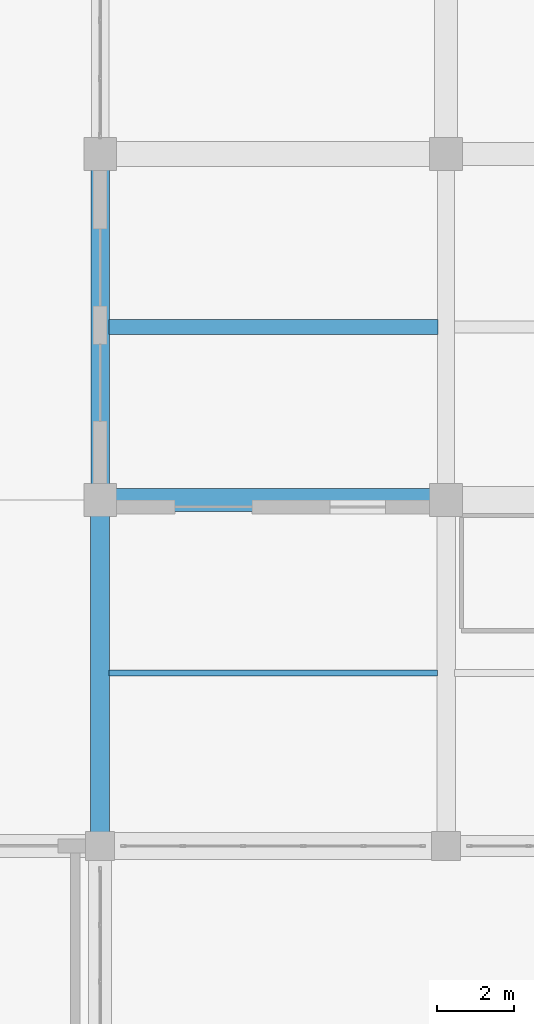
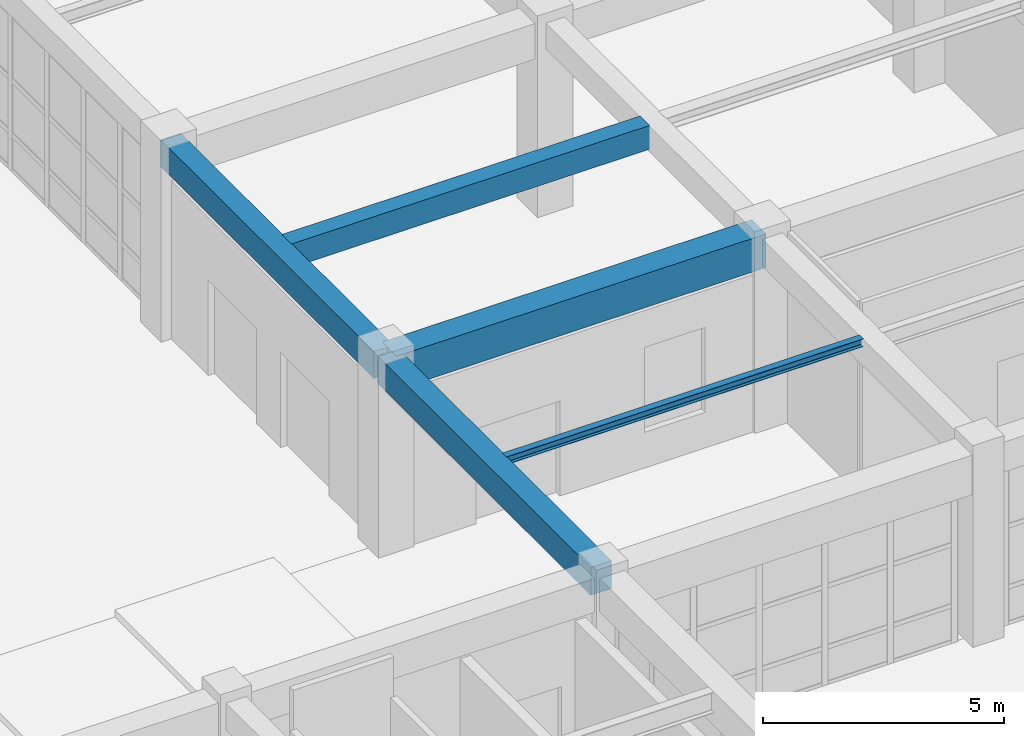
# One storey, part 38 of 128: 5 beams.
"""IFC4 building model written with IfcOpenShell, lengths in metres."""

from ifc_helpers import new_model, si_unit, direction, frame, origin, origin_2d, place, context, subcontext, project, spatial, rectangle, i_section, extrude, material, material_profile, profile_set, type_object, element, save


model = new_model("IFC4")

# Units and contexts
model_context = context("Model", 3, precision=1e-05, world=origin(), true_north=direction((0.0, 1.0)))
body_context = subcontext(model_context, "Body", "Model", "MODEL_VIEW")
ifc_project = project(units=[si_unit("LENGTHUNIT", "METRE"), si_unit("AREAUNIT", "SQUARE_METRE"), si_unit("VOLUMEUNIT", "CUBIC_METRE"), si_unit("PLANEANGLEUNIT", "RADIAN"), si_unit("MASSUNIT", "GRAM", prefix="KILO")], contexts=[model_context])

# Site, building, storey
site_placement = place(None, origin())
site = spatial("IfcSite", under=ifc_project, at=site_placement, CompositionType="ELEMENT")
building_placement = place(site_placement, origin())
building = spatial("IfcBuilding", under=site, at=building_placement, Name="Miravela Opera House", CompositionType="ELEMENT")
storey_placement = place(building_placement, origin())
storey = spatial("IfcBuildingStorey", under=building, at=storey_placement, Name="L00", CompositionType="ELEMENT", Elevation=0.0)

# Beams
ifc_material_1 = material(Name="Concrete C35/45", Category="concrete")
ifc_material_profile_1 = material_profile(ifc_material_1, rectangle(XDim=0.39990234375, YDim=0.60009765625, at=origin_2d()), Name="RC-BM-400X600")
ifc_profile_set_1 = profile_set([ifc_material_profile_1])
beam_type_1 = type_object("IfcBeamType", Name="STR-BM-RC400X600", PredefinedType="JOIST", material=ifc_profile_set_1)
beam_1_placement = place(storey_placement, frame((27.22509765625, 41.5, 4.550048828125), z_axis=(1.0, 0.0, 0.0), x_axis=(0.0, 1.0, 0.0)))
element("IfcBeam", 1, at=beam_1_placement, inside=storey, type_object=beam_type_1, Name="Secondary Floor Joist L00 4-5/E-F", PredefinedType="JOIST", context=body_context, shape_type="SweptSolid", body=[
    extrude(rectangle(XDim=0.39990234375, YDim=0.60009765625, at=origin_2d()), origin(), (0.0, 0.0, 1.0), 8.56494140625),
])
ifc_material_profile_2 = material_profile(ifc_material_1, rectangle(XDim=0.47998046875, YDim=0.679931640625, at=origin_2d()), Name="RC-BM-480X680")
ifc_profile_set_2 = profile_set([ifc_material_profile_2])
beam_type_2 = type_object("IfcBeamType", Name="STR-BM-RC480X680", PredefinedType="BEAM", material=ifc_profile_set_2)
beam_2_placement = place(storey_placement, frame((27.0, 37.080078125, 4.510009765625), z_axis=(0.0, 1.0, 0.0), x_axis=(-1.0, 0.0, 0.0)))
element("IfcBeam", 2, at=beam_2_placement, inside=storey, type_object=beam_type_2, Name="Floor Girder L00 4/E-F", PredefinedType="BEAM", context=body_context, shape_type="SweptSolid", body=[
    extrude(rectangle(XDim=0.47998046875, YDim=0.679931640625, at=origin_2d()), origin(), (0.0, 0.0, 1.0), 8.83984375),
])
ifc_material_profile_3 = material_profile(ifc_material_1, rectangle(XDim=0.5, YDim=0.699951171875, at=origin_2d()), Name="RC-BM-500X700")
ifc_profile_set_3 = profile_set([ifc_material_profile_3])
beam_type_3 = type_object("IfcBeamType", Name="STR-BM-RC500X700", PredefinedType="BEAM", material=ifc_profile_set_3)
beam_3_placement = place(storey_placement, frame((27.0, 28.080078125, 4.5), z_axis=(0.0, 1.0, 0.0), x_axis=(-1.0, 0.0, 0.0)))
element("IfcBeam", 3, at=beam_3_placement, inside=storey, type_object=beam_type_3, Name="Floor Girder L00 4/D-E", PredefinedType="BEAM", context=body_context, shape_type="SweptSolid", body=[
    extrude(rectangle(XDim=0.5, YDim=0.699951171875, at=origin_2d()), origin(), (0.0, 0.0, 1.0), 8.83984375),
])
ifc_material_2 = material(Name="Concrete C40/50", Category="concrete")
ifc_material_profile_4 = material_profile(ifc_material_2, rectangle(XDim=0.60009765625, YDim=0.85009765625, at=origin_2d()), Name="RC-BM-600X850")
ifc_profile_set_4 = profile_set([ifc_material_profile_4])
beam_type_4 = type_object("IfcBeamType", Name="STR-BM-RC600X850", PredefinedType="BEAM", material=ifc_profile_set_4)
beam_4_placement = place(storey_placement, frame((27.080078125, 37.0, 4.425048828125), z_axis=(1.0, 0.0, 0.0), x_axis=(0.0, 1.0, 0.0)))
element("IfcBeam", 4, at=beam_4_placement, inside=storey, type_object=beam_type_4, Name="Floor Girder L00 4-5/E", PredefinedType="BEAM", context=body_context, shape_type="SweptSolid", body=[
    extrude(rectangle(XDim=0.60009765625, YDim=0.85009765625, at=origin_2d()), origin(), (0.0, 0.0, 1.0), 8.83984375),
])
ifc_material_3 = material(Name="Structural steel ASTM A992 Gr. 50", Category="steel")
ifc_material_profile_5 = material_profile(ifc_material_3, i_section(OverallWidth=0.1650390625, OverallDepth=0.200927734375, WebThickness=0.006103515625, FlangeThickness=0.01025390625, FilletRadius=0.010009765625, at=origin_2d()), Name="W200X36")
ifc_profile_set_5 = profile_set([ifc_material_profile_5])
beam_type_5 = type_object("IfcBeamType", Name="STR-BM-W200X36", PredefinedType="LINTEL", material=ifc_profile_set_5)
beam_5_placement = place(storey_placement, frame((27.235107421875, 32.5, 4.74951171875), z_axis=(1.0, 0.0, 0.0), x_axis=(0.0, 1.0, 0.0)))
element("IfcBeam", 5, at=beam_5_placement, inside=storey, type_object=beam_type_5, Name="Secondary Floor Joist L00 4-5/D-E", PredefinedType="LINTEL", context=body_context, shape_type="SweptSolid", body=[
    extrude(i_section(OverallWidth=0.1650390625, OverallDepth=0.200927734375, WebThickness=0.006103515625, FlangeThickness=0.01025390625, FilletRadius=0.010009765625, at=origin_2d()), origin(), (0.0, 0.0, 1.0), 8.539794921875),
])

save(model, "model.ifc")
